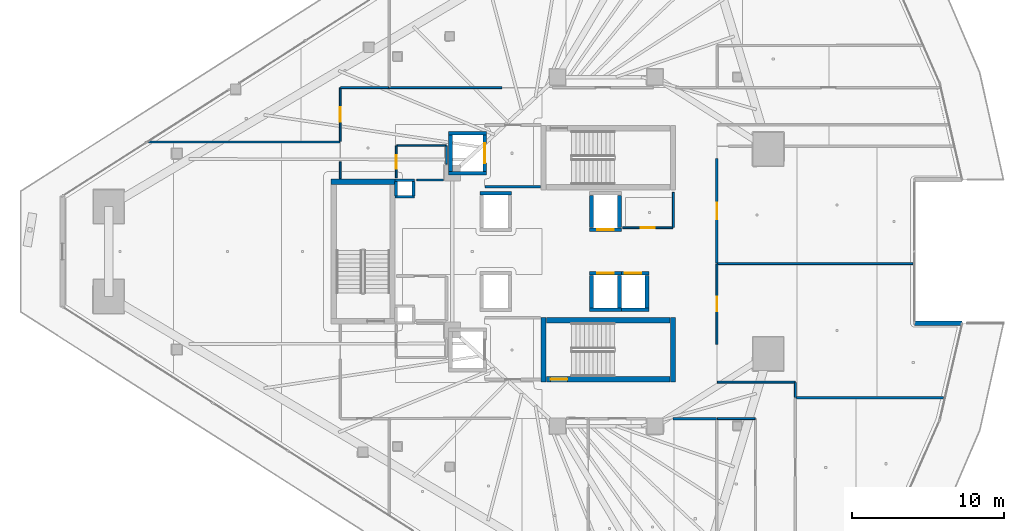
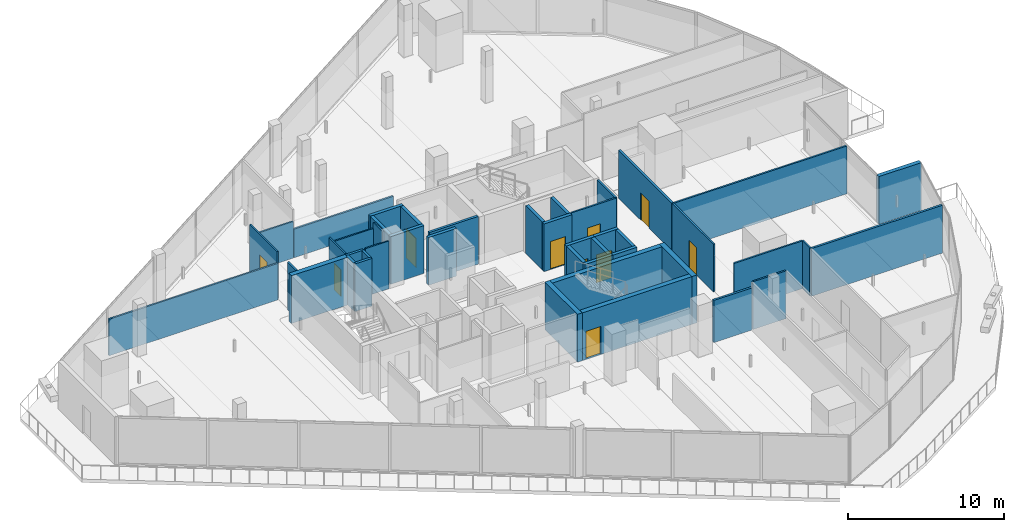
# One storey, part 25 of 36: 45 walls, 10 doors, 10 openings.
"""IFC4 building model written with IfcOpenShell, lengths in metres."""

from ifc_helpers import new_model, si_unit, direction, frame, frame_2d, origin, place, context, subcontext, project, spatial, rectangle, extrude, material, layer, layer_set, type_object, element, fill, save


model = new_model("IFC4")

# Units and contexts
model_context = context("Model", 3, precision=1e-05, world=origin(), true_north=direction((0.0, 1.0)))
body_context = subcontext(model_context, "Body", "Model", "MODEL_VIEW")
ifc_project = project(units=[si_unit("LENGTHUNIT", "METRE"), si_unit("AREAUNIT", "SQUARE_METRE"), si_unit("VOLUMEUNIT", "CUBIC_METRE"), si_unit("PLANEANGLEUNIT", "RADIAN"), si_unit("MASSUNIT", "GRAM", prefix="KILO")], contexts=[model_context])

# Site, building, storey
site_placement = place(None, origin())
site = spatial("IfcSite", under=ifc_project, at=site_placement, CompositionType="ELEMENT")
building_placement = place(site_placement, origin())
building = spatial("IfcBuilding", under=site, at=building_placement, Name="Qorvath Tower", CompositionType="ELEMENT")
storey_placement = place(building_placement, frame((0.0, 0.0, 170.550048828125)))
storey = spatial("IfcBuildingStorey", under=building, at=storey_placement, Name="L39", CompositionType="ELEMENT", Elevation=170.550048828125)

# Walls
ifc_material_1 = material(Name="Gypsum shaftliner on steel studs", Category="steel")
ifc_layer_1 = layer(ifc_material_1, 0.179931640625)
ifc_layer_set_1 = layer_set([ifc_layer_1], Name="FW-LOBBY")
wall_type_1 = type_object("IfcWallType", Name="FW-LOBBY", PredefinedType="PARTITIONING", material=ifc_layer_set_1)
for number, where, z_axis, x_axis, name in (
    (1, (-32.989990234375, 3.594970703125, 0.0), (0.0, 0.0, 1.0), (-1.0, 0.0, 0.0), "MEP Riser Shaft Enclosure Wall N-L39-S"),
    (2, (-34.260009765625, 4.675048828125, 0.0), (0.0, 0.0, 1.0), (1.0, 0.0, 0.0), "MEP Riser Shaft Enclosure Wall N-L39-N"),
):
    element("IfcWall", number, at=place(storey_placement, frame(where, z_axis=z_axis, x_axis=x_axis)), inside=storey, type_object=wall_type_1, Name=name, PredefinedType="PARTITIONING", context=body_context, shape_type="SweptSolid", body=[
        extrude(rectangle(XDim=1.27001953125, YDim=0.179931640625, at=frame_2d((0.635009765625, 0.0))), origin(), (0.0, 0.0, 1.0), 3.75),
    ])
for number, where, z_axis, x_axis, name in (
    (3, (-34.205078125, 3.659912109375, 0.0), (0.0, 0.0, 1.0), (0.0, 1.0, 0.0), "MEP Riser Shaft Enclosure Wall N-L39-W"),
    (4, (-33.044921875, 4.610107421875, 0.0), (0.0, 0.0, 1.0), (0.0, -1.0, 0.0), "MEP Riser Shaft Enclosure Wall N-L39-E"),
):
    element("IfcWall", number, at=place(storey_placement, frame(where, z_axis=z_axis, x_axis=x_axis)), inside=storey, type_object=wall_type_1, Name=name, PredefinedType="PARTITIONING", context=body_context, shape_type="SweptSolid", body=[
        extrude(rectangle(XDim=0.9501953125, YDim=0.179931640625, at=frame_2d((0.47509765625, 0.0))), origin(), (0.0, 0.0, 1.0), 3.75),
    ])
wall_1_placement = place(storey_placement, frame((-28.35498046875, 4.25, 0.0), z_axis=(0.0, 0.0, 1.0), x_axis=(1.0, 0.0, 0.0)))
element("IfcWall", 5, at=wall_1_placement, inside=storey, type_object=wall_type_1, Name="Interior Partition IW-T1-L39-001", PredefinedType="PARTITIONING", context=body_context, shape_type="SweptSolid", body=[
    extrude(rectangle(XDim=3.6220703125, YDim=0.179931640625, at=frame_2d((1.81103515625, 0.0))), origin(), (0.0, 0.0, 1.0), 3.75),
])
ifc_material_2 = material(Name="Double acoustic gypsum board on steel studs", Category="steel")
ifc_layer_2 = layer(ifc_material_2, 0.159912109375)
ifc_layer_set_2 = layer_set([ifc_layer_2], Name="IW-ACOUSTIC-160")
wall_type_2 = type_object("IfcWallType", Name="IW-ACOUSTIC-160", PredefinedType="PARTITIONING", material=ifc_layer_set_2)
wall_2_placement = place(storey_placement, frame((-13.1748046875, -10.9580078125, 0.0), z_axis=(0.0, 0.0, 1.0), x_axis=(-1.0, 0.0, 0.0)))
element("IfcWall", 6, at=wall_2_placement, inside=storey, type_object=wall_type_2, Name="Interior Partition IW-T1-L39-031", PredefinedType="PARTITIONING", context=body_context, shape_type="SweptSolid", body=[
    extrude(rectangle(XDim=2.833740234375, YDim=0.159912109375, at=frame_2d((1.4169921875, 0.0))), origin(), (0.0, 0.0, 1.0), 3.313720703125),
])
wall_3_placement = place(storey_placement, frame((1.7412109375, -9.6015625, 0.0), z_axis=(0.0, 0.0, 1.0), x_axis=(-1.0, 0.0, 0.0)))
element("IfcWall", 7, at=wall_3_placement, inside=storey, type_object=wall_type_2, Name="Interior Partition IW-T1-L39-037", PredefinedType="PARTITIONING", context=body_context, shape_type="SweptSolid", body=[
    extrude(rectangle(XDim=9.7080078125, YDim=0.159912109375, at=frame_2d((4.85400390625, 0.0))), origin(), (0.0, 0.0, 1.0), 3.75),
])

# Wall, opening, door
wall_4_placement = place(storey_placement, frame((-13.14208984375, 6.08984375, 0.0), z_axis=(0.0, 0.0, 1.0), x_axis=(0.0, -1.0, 0.0)))
wall_4 = element("IfcWall", 8, at=wall_4_placement, inside=storey, type_object=wall_type_2, Name="Interior Partition IW-T1-L39-047", PredefinedType="PARTITIONING", context=body_context, shape_type="SweptSolid", body=[
    extrude(rectangle(XDim=6.845947265625, YDim=0.159912109375, at=frame_2d((3.4228515625, 0.0))), origin(), (0.0, 0.0, 1.0), 3.75),
])
opening_1_placement = place(wall_4_placement, frame((2.873046875, 0.0, 0.0)))
opening_1 = element("IfcOpeningElement", 9, at=opening_1_placement, cuts=wall_4, Name="Opening D-T1-L39-17", PredefinedType="OPENING", context=body_context, shape_type="SweptSolid", body=[
    extrude(rectangle(XDim=1.10009765625, YDim=2.14990234375, at=frame_2d((0.550048828125, 1.074951171875))), frame((0.0, 0.08984375, 0.0), z_axis=(0.0, -1.0, 0.0), x_axis=(1.0, 0.0, 0.0)), (0.0, 0.0, 1.0), 0.179931640625),
])
ifc_material_3 = material(Name="Anodised aluminium acoustic framed glass", Category="aluminium")
door_type_1 = type_object("IfcDoorType", Name="D-03", OperationType="NOTDEFINED", PredefinedType="DOOR", material=ifc_material_3)
door_1_placement = place(opening_1_placement, origin())
door_1 = element("IfcDoor", 10, at=door_1_placement, inside=storey, type_object=door_type_1, Name="L39-08 Enclosed Conference Suite Door D-T1-L39-17", OperationType="SINGLE_SWING_RIGHT", OverallHeight=2.14990234375, OverallWidth=1.10009765625, PredefinedType="DOOR", context=body_context, shape_type="SweptSolid", body=[
    extrude(rectangle(XDim=1.10009765625, YDim=2.14990234375, at=frame_2d((0.550048828125, 1.074951171875))), frame((0.0, 0.02490234375, 0.0), z_axis=(0.0, -1.0, 0.0), x_axis=(1.0, 0.0, 0.0)), (0.0, 0.0, 1.0), 0.050048828125),
])
fill(opening_1, door_1)

ifc_material_4 = material(Name="Gypsum board on metal studs with mineral wool", Category="gypsum")
ifc_layer_3 = layer(ifc_material_4, 0.125)
ifc_layer_set_3 = layer_set([ifc_layer_3], Name="IW-PART-125")
wall_type_3 = type_object("IfcWallType", Name="IW-PART-125", PredefinedType="PARTITIONING", material=ifc_layer_set_3)
wall_5_placement = place(storey_placement, frame((-19.333740234375, 1.56005859375, 0.0), z_axis=(0.0, 0.0, 1.0), x_axis=(1.0, 0.0, 0.0)))
wall_5 = element("IfcWall", 11, at=wall_5_placement, inside=storey, type_object=wall_type_3, Name="Interior Partition IW-T1-L39-013", PredefinedType="PARTITIONING", context=body_context, shape_type="SweptSolid", body=[
    extrude(rectangle(XDim=3.308837890625, YDim=0.125, at=frame_2d((1.654296875, 0.0))), origin(), (0.0, 0.0, 1.0), 3.75),
])
opening_2_placement = place(wall_5_placement, frame((1.179443359375, 0.0, 0.0)))
opening_2 = element("IfcOpeningElement", 12, at=opening_2_placement, cuts=wall_5, Name="Opening D-T1-L39-03", PredefinedType="OPENING", context=body_context, shape_type="SweptSolid", body=[
    extrude(rectangle(XDim=0.949951171875, YDim=2.14990234375, at=frame_2d((0.47509765625, 1.074951171875))), frame((0.0, 0.072509765625, 0.0), z_axis=(0.0, -1.0, 0.0), x_axis=(1.0, 0.0, 0.0)), (0.0, 0.0, 1.0), 0.14501953125),
])
ifc_material_5 = material(Name="Solid-core American white oak veneer", Category="wood")
door_type_2 = type_object("IfcDoorType", Name="D-01", OperationType="NOTDEFINED", PredefinedType="DOOR", material=ifc_material_5)
door_2_placement = place(opening_2_placement, origin())
door_2 = element("IfcDoor", 13, at=door_2_placement, inside=storey, type_object=door_type_2, Name="L39-RCN North Staff Refreshment Pantry Door D-T1-L39-03", OperationType="SINGLE_SWING_RIGHT", OverallHeight=2.14990234375, OverallWidth=0.949951171875, PredefinedType="DOOR", context=body_context, shape_type="SweptSolid", body=[
    extrude(rectangle(XDim=0.949951171875, YDim=2.14990234375, at=frame_2d((0.47509765625, 1.074951171875))), frame((0.0, 0.02490234375, 0.0), z_axis=(0.0, -1.0, 0.0), x_axis=(1.0, 0.0, 0.0)), (0.0, 0.0, 1.0), 0.050048828125),
])
fill(opening_2, door_2)

# Walls
wall_6_placement = place(storey_placement, frame((-16.0, 1.585205078125, 0.0), z_axis=(0.0, 0.0, 1.0), x_axis=(0.0, 1.0, 0.0)))
element("IfcWall", 14, at=wall_6_placement, inside=storey, type_object=wall_type_3, Name="Interior Partition IW-T1-L39-014", PredefinedType="PARTITIONING", context=body_context, shape_type="SweptSolid", body=[
    extrude(rectangle(XDim=2.30224609375, YDim=0.125, at=frame_2d((1.151123046875, 0.0))), origin(), (0.0, 0.0, 1.0), 3.75),
])
wall_7_placement = place(storey_placement, frame((-34.625, 10.758056640625, 0.0), z_axis=(0.0, 0.0, 1.0), x_axis=(1.0, 0.0, 0.0)))
element("IfcWall", 15, at=wall_7_placement, inside=storey, type_object=wall_type_3, Name="Interior Partition IW-T1-L39-019", PredefinedType="PARTITIONING", context=body_context, shape_type="SweptSolid", body=[
    extrude(rectangle(XDim=7.377685546875, YDim=0.125, at=frame_2d((3.68896484375, 0.0))), origin(), (0.0, 0.0, 1.0), 2.25),
])
wall_8_placement = place(storey_placement, frame((-10.6328125, -10.9580078125, 0.0), z_axis=(0.0, 0.0, 1.0), x_axis=(-1.0, 0.0, 0.0)))
element("IfcWall", 16, at=wall_8_placement, inside=storey, type_object=wall_type_3, Name="Interior Partition IW-T1-L39-040", PredefinedType="PARTITIONING", context=body_context, shape_type="SweptSolid", body=[
    extrude(rectangle(XDim=2.484375, YDim=0.125, at=frame_2d((1.2421875, 0.0))), origin(), (0.0, 0.0, 1.0), 3.75),
])
wall_9_placement = place(storey_placement, frame((-0.263916015625, -0.7890625, 0.0), z_axis=(0.0, 0.0, 1.0), x_axis=(-1.0, 0.0, 0.0)))
element("IfcWall", 17, at=wall_9_placement, inside=storey, type_object=wall_type_3, Name="Interior Partition IW-T1-L39-041", PredefinedType="PARTITIONING", context=body_context, shape_type="SweptSolid", body=[
    extrude(rectangle(XDim=12.853271484375, YDim=0.125, at=frame_2d((6.4267578125, 0.0))), origin(), (0.0, 0.0, 1.0), 3.75),
])

# Wall, opening, door
wall_10_placement = place(storey_placement, frame((-13.14208984375, -0.814208984375, 0.0), z_axis=(0.0, 0.0, 1.0), x_axis=(0.0, -1.0, 0.0)))
wall_10 = element("IfcWall", 18, at=wall_10_placement, inside=storey, type_object=wall_type_3, Name="Interior Partition IW-T1-L39-042", PredefinedType="PARTITIONING", context=body_context, shape_type="SweptSolid", body=[
    extrude(rectangle(XDim=5.275634765625, YDim=0.125, at=frame_2d((2.6376953125, 0.0))), origin(), (0.0, 0.0, 1.0), 3.75),
])
opening_3_placement = place(wall_10_placement, frame((2.162841796875, 0.0, 0.0)))
opening_3 = element("IfcOpeningElement", 19, at=opening_3_placement, cuts=wall_10, Name="Opening D-T1-L39-16", PredefinedType="OPENING", context=body_context, shape_type="SweptSolid", body=[
    extrude(rectangle(XDim=0.949951171875, YDim=2.14990234375, at=frame_2d((0.47509765625, 1.074951171875))), frame((0.0, 0.072509765625, 0.0), z_axis=(0.0, -1.0, 0.0), x_axis=(1.0, 0.0, 0.0)), (0.0, 0.0, 1.0), 0.14501953125),
])
door_3_placement = place(opening_3_placement, origin())
door_3 = element("IfcDoor", 20, at=door_3_placement, inside=storey, type_object=door_type_2, Name="L39-07 Open Workplace Studio Door D-T1-L39-16", OperationType="SINGLE_SWING_LEFT", OverallHeight=2.14990234375, OverallWidth=0.949951171875, PredefinedType="DOOR", context=body_context, shape_type="SweptSolid", body=[
    extrude(rectangle(XDim=0.949951171875, YDim=2.14990234375, at=frame_2d((0.47509765625, 1.074951171875))), frame((0.0, 0.02490234375, 0.0), z_axis=(0.0, -1.0, 0.0), x_axis=(1.0, 0.0, 0.0)), (0.0, 0.0, 1.0), 0.050048828125),
])
fill(opening_3, door_3)

# Walls
wall_11_placement = place(storey_placement, frame((-13.1171875, -8.572021484375, 0.0), z_axis=(0.0, 0.0, 1.0), x_axis=(1.0, 0.0, 0.0)))
element("IfcWall", 21, at=wall_11_placement, inside=storey, type_object=wall_type_3, Name="Interior Partition IW-T1-L39-043", PredefinedType="PARTITIONING", context=body_context, shape_type="SweptSolid", body=[
    extrude(rectangle(XDim=5.100341796875, YDim=0.125, at=frame_2d((2.55029296875, 0.0))), origin(), (0.0, 0.0, 1.0), 3.75),
])
wall_12_placement = place(storey_placement, frame((-7.991943359375, -8.596923828125, 0.0), z_axis=(0.0, 0.0, 1.0), x_axis=(0.0, -1.0, 0.0)))
element("IfcWall", 22, at=wall_12_placement, inside=storey, type_object=wall_type_3, Name="Interior Partition IW-T1-L39-044", PredefinedType="PARTITIONING", context=body_context, shape_type="SweptSolid", body=[
    extrude(rectangle(XDim=0.9716796875, YDim=0.125, at=frame_2d((0.48583984375, 0.0))), origin(), (0.0, 0.0, 1.0), 3.75),
])
wall_13_placement = place(storey_placement, frame((-37.85791015625, 4.783203125, 0.0), z_axis=(0.0, 0.0, 1.0), x_axis=(0.0, 1.0, 0.0)))
element("IfcWall", 23, at=wall_13_placement, inside=storey, type_object=wall_type_3, Name="Interior Partition IW-T1-L39-053", PredefinedType="PARTITIONING", context=body_context, shape_type="SweptSolid", body=[
    extrude(rectangle(XDim=1.09521484375, YDim=0.125, at=frame_2d((0.547607421875, 0.0))), origin(), (0.0, 0.0, 1.0), 3.75),
])
wall_14_placement = place(storey_placement, frame((-37.8828125, 7.18994140625, 0.0), z_axis=(0.0, 0.0, 1.0), x_axis=(-0.999999999811, 1.9455631e-05, 0.0)))
element("IfcWall", 24, at=wall_14_placement, inside=storey, type_object=wall_type_3, Name="Interior Partition IW-T1-L39-054", PredefinedType="PARTITIONING", context=body_context, shape_type="SweptSolid", body=[
    extrude(rectangle(XDim=12.548583984375, YDim=0.125, at=frame_2d((6.2744140625, 0.0))), origin(), (0.0, 0.0, 1.0), 2.869873046875),
])

# Wall, opening, door
wall_15_placement = place(storey_placement, frame((-37.85791015625, 7.222900390625, 0.0), z_axis=(0.0, 0.0, 1.0), x_axis=(0.0, 1.0, 0.0)))
wall_15 = element("IfcWall", 25, at=wall_15_placement, inside=storey, type_object=wall_type_3, Name="Interior Partition IW-T1-L39-055", PredefinedType="PARTITIONING", context=body_context, shape_type="SweptSolid", body=[
    extrude(rectangle(XDim=3.51025390625, YDim=0.125, at=frame_2d((1.755126953125, 0.0))), origin(), (0.0, 0.0, 1.0), 3.75),
])
opening_4_placement = place(wall_15_placement, frame((1.280029296875, 0.0, 0.0)))
opening_4 = element("IfcOpeningElement", 26, at=opening_4_placement, cuts=wall_15, Name="Opening D-T1-L39-12", PredefinedType="OPENING", context=body_context, shape_type="SweptSolid", body=[
    extrude(rectangle(XDim=0.949951171875, YDim=2.14990234375, at=frame_2d((0.47509765625, 1.074951171875))), frame((0.0, 0.072509765625, 0.0), z_axis=(0.0, -1.0, 0.0), x_axis=(1.0, 0.0, 0.0)), (0.0, 0.0, 1.0), 0.14501953125),
])
door_4_placement = place(opening_4_placement, origin())
door_4 = element("IfcDoor", 27, at=door_4_placement, inside=storey, type_object=door_type_2, Name="L39-11 Executive Partner Office Door D-T1-L39-12", OperationType="SINGLE_SWING_LEFT", OverallHeight=2.14990234375, OverallWidth=0.949951171875, PredefinedType="DOOR", context=body_context, shape_type="SweptSolid", body=[
    extrude(rectangle(XDim=0.949951171875, YDim=2.14990234375, at=frame_2d((0.47509765625, 1.074951171875))), frame((0.0, 0.02490234375, 0.0), z_axis=(0.0, -1.0, 0.0), x_axis=(1.0, 0.0, 0.0)), (0.0, 0.0, 1.0), 0.050048828125),
])
fill(opening_4, door_4)

# Wall
wall_16_placement = place(storey_placement, frame((-34.68310546875, 10.758056640625, 0.0), z_axis=(0.0, 0.0, 1.0), x_axis=(-1.0, 0.0, 0.0)))
element("IfcWall", 28, at=wall_16_placement, inside=storey, type_object=wall_type_3, Name="Interior Partition IW-T1-L39-056", PredefinedType="PARTITIONING", context=body_context, shape_type="SweptSolid", body=[
    extrude(rectangle(XDim=3.14990234375, YDim=0.125, at=frame_2d((1.574951171875, 0.0))), origin(), (0.0, 0.0, 1.0), 2.869873046875),
])

# Wall, opening, door
ifc_material_6 = material(Name="Moisture-resistant cement board on metal studs", Category="gypsum")
ifc_layer_4 = layer(ifc_material_6, 0.110107421875)
ifc_layer_set_4 = layer_set([ifc_layer_4], Name="IW-WC-110")
wall_type_4 = type_object("IfcWallType", Name="IW-WC-110", PredefinedType="PARTITIONING", material=ifc_layer_set_4)
wall_17_placement = place(storey_placement, frame((-34.179931640625, 6.925048828125, 0.0), z_axis=(0.0, 0.0, 1.0), x_axis=(0.0, -1.0, 0.0)))
wall_17 = element("IfcWall", 29, at=wall_17_placement, inside=storey, type_object=wall_type_4, Name="Interior Partition IW-T1-L39-005", PredefinedType="PARTITIONING", context=body_context, shape_type="SweptSolid", body=[
    extrude(rectangle(XDim=2.0849609375, YDim=0.110107421875, at=frame_2d((1.04248046875, 0.0))), origin(), (0.0, 0.0, 1.0), 3.75),
])
opening_5_placement = place(wall_17_placement, frame((0.6025390625, 0.0, 0.0)))
opening_5 = element("IfcOpeningElement", 30, at=opening_5_placement, cuts=wall_17, Name="Opening D-T1-L39-01", PredefinedType="OPENING", context=body_context, shape_type="SweptSolid", body=[
    extrude(rectangle(XDim=0.8798828125, YDim=2.10009765625, at=frame_2d((0.43994140625, 1.050048828125))), frame((0.0, 0.06494140625, 0.0), z_axis=(0.0, -1.0, 0.0), x_axis=(1.0, 0.0, 0.0)), (0.0, 0.0, 1.0), 0.130126953125),
])
ifc_material_7 = material(Name="Solid-core oak with acoustic drop seal", Category="wood")
door_type_3 = type_object("IfcDoorType", Name="D-02", OperationType="NOTDEFINED", PredefinedType="DOOR", material=ifc_material_7)
door_5_placement = place(opening_5_placement, origin())
door_5 = element("IfcDoor", 31, at=door_5_placement, inside=storey, type_object=door_type_3, Name="Accessible WC North L39 Door D-T1-L39-01", OperationType="SINGLE_SWING_RIGHT", OverallHeight=2.10009765625, OverallWidth=0.8798828125, PredefinedType="DOOR", context=body_context, shape_type="SweptSolid", body=[
    extrude(rectangle(XDim=0.8798828125, YDim=2.10009765625, at=frame_2d((0.43994140625, 1.050048828125))), frame((0.0, 0.02490234375, 0.0), z_axis=(0.0, -1.0, 0.0), x_axis=(1.0, 0.0, 0.0)), (0.0, 0.0, 1.0), 0.050048828125),
])
fill(opening_5, door_5)

# Walls
wall_18_placement = place(storey_placement, frame((-32.827392578125, 4.699951171875, 0.0), z_axis=(0.0, 0.0, 1.0), x_axis=(1.0, 0.0, 0.0)))
element("IfcWall", 32, at=wall_18_placement, inside=storey, type_object=wall_type_4, Name="Interior Partition IW-T1-L39-006", PredefinedType="PARTITIONING", context=body_context, shape_type="SweptSolid", body=[
    extrude(rectangle(XDim=1.7373046875, YDim=0.110107421875, at=frame_2d((0.86865234375, 0.0))), origin(), (0.0, 0.0, 1.0), 3.75),
])
wall_19_placement = place(storey_placement, frame((-30.8798828125, 5.739990234375, 0.0), z_axis=(0.0, 0.0, 1.0), x_axis=(0.0, 1.0, 0.0)))
element("IfcWall", 33, at=wall_19_placement, inside=storey, type_object=wall_type_4, Name="Interior Partition IW-T1-L39-007", PredefinedType="PARTITIONING", context=body_context, shape_type="SweptSolid", body=[
    extrude(rectangle(XDim=1.18505859375, YDim=0.110107421875, at=frame_2d((0.592529296875, 0.0))), origin(), (0.0, 0.0, 1.0), 3.75),
])
wall_20_placement = place(storey_placement, frame((-30.90478515625, 6.949951171875, 0.0), z_axis=(0.0, 0.0, 1.0), x_axis=(-1.0, 0.0, 0.0)))
element("IfcWall", 34, at=wall_20_placement, inside=storey, type_object=wall_type_4, Name="Interior Partition IW-T1-L39-008", PredefinedType="PARTITIONING", context=body_context, shape_type="SweptSolid", body=[
    extrude(rectangle(XDim=3.25, YDim=0.110107421875, at=frame_2d((1.625, 0.0))), origin(), (0.0, 0.0, 1.0), 3.313720703125),
])
ifc_material_8 = material(Name="Concrete C60/75", Category="concrete")
ifc_layer_5 = layer(ifc_material_8, 0.260009765625)
ifc_layer_set_5 = layer_set([ifc_layer_5], Name="SW-SHAFT")
wall_type_5 = type_object("IfcWallType", Name="SW-SHAFT", PredefinedType="SHEAR", material=ifc_layer_set_5)
for number, where, z_axis, x_axis, name in (
    (35, (-28.260009765625, 5.1298828125, 0.0), (0.0, 0.0, 1.0), (-1.0, 0.0, 0.0), "Hoistway Wall FSAE-1 L39 S"),
    (36, (-30.739990234375, 7.77001953125, 0.0), (0.0, 0.0, 1.0), (1.0, 0.0, 0.0), "Hoistway Wall FSAE-1 L39 N"),
):
    element("IfcWall", number, at=place(storey_placement, frame(where, z_axis=z_axis, x_axis=x_axis)), inside=storey, type_object=wall_type_5, Name=name, PredefinedType="SHEAR", context=body_context, shape_type="SweptSolid", body=[
        extrude(rectangle(XDim=2.47998046875, YDim=0.239990234375, at=frame_2d((1.239990234375, 0.0))), origin(), (0.0, 0.0, 1.0), 3.75),
    ])
wall_21_placement = place(storey_placement, frame((-30.6201171875, 5.261962890625, 0.0), z_axis=(0.0, 0.0, 1.0), x_axis=(0.0, 1.0, 0.0)))
element("IfcWall", 37, at=wall_21_placement, inside=storey, type_object=wall_type_5, Name="Hoistway Wall FSAE-1 L39 W", PredefinedType="SHEAR", context=body_context, shape_type="SweptSolid", body=[
    extrude(rectangle(XDim=2.3759765625, YDim=0.239990234375, at=frame_2d((1.18798828125, 0.0))), origin(), (0.0, 0.0, 1.0), 3.75),
])

# Wall, opening, door
wall_22_placement = place(storey_placement, frame((-28.3798828125, 7.637939453125, 0.0), z_axis=(0.0, 0.0, 1.0), x_axis=(0.0, -1.0, 0.0)))
wall_22 = element("IfcWall", 38, at=wall_22_placement, inside=storey, type_object=wall_type_5, Name="Hoistway Wall FSAE-1 L39 E", PredefinedType="SHEAR", context=body_context, shape_type="SweptSolid", body=[
    extrude(rectangle(XDim=2.3759765625, YDim=0.239990234375, at=frame_2d((1.18798828125, 0.0))), origin(), (0.0, 0.0, 1.0), 3.75),
])
opening_6_placement = place(wall_22_placement, frame((0.537841796875, 0.0, 0.0)))
opening_6 = element("IfcOpeningElement", 39, at=opening_6_placement, cuts=wall_22, Name="Opening LD-FSAE-1-L39", PredefinedType="OPENING", context=body_context, shape_type="SweptSolid", body=[
    extrude(rectangle(XDim=1.300048828125, YDim=2.300048828125, at=frame_2d((0.64990234375, 1.14990234375))), frame((0.0, 0.1298828125, 0.0), z_axis=(0.0, -1.0, 0.0), x_axis=(1.0, 0.0, 0.0)), (0.0, 0.0, 1.0), 0.260009765625),
])
ifc_material_9 = material(Name="Brushed stainless steel AISI 316", Category="steel")
door_type_4 = type_object("IfcDoorType", Name="LD-02", OperationType="NOTDEFINED", PredefinedType="DOOR", material=ifc_material_9)
door_6_placement = place(opening_6_placement, origin())
door_6 = element("IfcDoor", 40, at=door_6_placement, inside=storey, type_object=door_type_4, Name="Elevator Landing Sliding Door LD-FSAE-1-L39", OperationType="DOUBLE_DOOR_SLIDING", OverallHeight=2.300048828125, OverallWidth=1.300048828125, PredefinedType="DOOR", context=body_context, shape_type="SweptSolid", body=[
    extrude(rectangle(XDim=1.300048828125, YDim=2.300048828125, at=frame_2d((0.64990234375, 1.14990234375))), frame((0.0, 0.02490234375, 0.0), z_axis=(0.0, -1.0, 0.0), x_axis=(1.0, 0.0, 0.0)), (0.0, 0.0, 1.0), 0.050048828125),
])
fill(opening_6, door_6)

# Wall
wall_23_placement = place(storey_placement, frame((-28.68994140625, 3.820068359375, 0.0), z_axis=(0.0, 0.0, 1.0), x_axis=(1.0, 0.0, 0.0)))
element("IfcWall", 41, at=wall_23_placement, inside=storey, type_object=wall_type_5, Name="Hoistway Wall PS-1 L39 N", PredefinedType="SHEAR", context=body_context, shape_type="SweptSolid", body=[
    extrude(rectangle(XDim=2.079833984375, YDim=0.239990234375, at=frame_2d((1.0400390625, 0.0))), origin(), (0.0, 0.0, 1.0), 3.75),
])

# Wall, opening, door
wall_24_placement = place(storey_placement, frame((-19.409912109375, 1.429931640625, 0.0), z_axis=(0.0, 0.0, 1.0), x_axis=(-1.0, 0.0, 0.0)))
wall_24 = element("IfcWall", 42, at=wall_24_placement, inside=storey, type_object=wall_type_5, Name="Hoistway Wall PM-1 L39 S", PredefinedType="SHEAR", context=body_context, shape_type="SweptSolid", body=[
    extrude(rectangle(XDim=2.080078125, YDim=0.239990234375, at=frame_2d((1.0400390625, 0.0))), origin(), (0.0, 0.0, 1.0), 3.75),
])
opening_7_placement = place(wall_24_placement, frame((0.489990234375, 0.0, 0.0)))
opening_7 = element("IfcOpeningElement", 43, at=opening_7_placement, cuts=wall_24, Name="Opening LD-PM-1-L39", PredefinedType="OPENING", context=body_context, shape_type="SweptSolid", body=[
    extrude(rectangle(XDim=1.10009765625, YDim=2.199951171875, at=frame_2d((0.550048828125, 1.10009765625))), frame((0.0, 0.1298828125, 0.0), z_axis=(0.0, -1.0, 0.0), x_axis=(1.0, 0.0, 0.0)), (0.0, 0.0, 1.0), 0.260009765625),
])
ifc_material_10 = material(Name="Brushed stainless steel AISI 316", Category="steel")
door_type_5 = type_object("IfcDoorType", Name="LD-01", OperationType="NOTDEFINED", PredefinedType="DOOR", material=ifc_material_10)
door_7_placement = place(opening_7_placement, origin())
door_7 = element("IfcDoor", 44, at=door_7_placement, inside=storey, type_object=door_type_5, Name="Elevator Landing Sliding Door LD-PM-1-L39", OperationType="DOUBLE_DOOR_SLIDING", OverallHeight=2.199951171875, OverallWidth=1.10009765625, PredefinedType="DOOR", context=body_context, shape_type="SweptSolid", body=[
    extrude(rectangle(XDim=1.10009765625, YDim=2.199951171875, at=frame_2d((0.550048828125, 1.10009765625))), frame((0.0, 0.02490234375, 0.0), z_axis=(0.0, -1.0, 0.0), x_axis=(1.0, 0.0, 0.0)), (0.0, 0.0, 1.0), 0.050048828125),
])
fill(opening_7, door_7)

# Walls
for number, where, z_axis, x_axis, name in (
    (45, (-21.3701171875, 1.56201171875, 0.0), (0.0, 0.0, 1.0), (0.0, 1.0, 0.0), "Hoistway Wall PM-1 L39 W"),
    (46, (-19.530029296875, 3.68798828125, 0.0), (0.0, 0.0, 1.0), (0.0, -1.0, 0.0), "Hoistway Wall PM-1 L39 E"),
):
    element("IfcWall", number, at=place(storey_placement, frame(where, z_axis=z_axis, x_axis=x_axis)), inside=storey, type_object=wall_type_5, Name=name, PredefinedType="SHEAR", context=body_context, shape_type="SweptSolid", body=[
        extrude(rectangle(XDim=2.1259765625, YDim=0.239990234375, at=frame_2d((1.06298828125, 0.0))), origin(), (0.0, 0.0, 1.0), 3.75),
    ])
wall_25_placement = place(storey_placement, frame((-19.409912109375, -3.820068359375, 0.0), z_axis=(0.0, 0.0, 1.0), x_axis=(-1.0, 0.0, 0.0)))
element("IfcWall", 47, at=wall_25_placement, inside=storey, type_object=wall_type_5, Name="Hoistway Wall PM-2 L39 S", PredefinedType="SHEAR", context=body_context, shape_type="SweptSolid", body=[
    extrude(rectangle(XDim=2.080078125, YDim=0.239990234375, at=frame_2d((1.0400390625, 0.0))), origin(), (0.0, 0.0, 1.0), 3.75),
])

# Wall, opening, door
wall_26_placement = place(storey_placement, frame((-21.489990234375, -1.429931640625, 0.0), z_axis=(0.0, 0.0, 1.0), x_axis=(1.0, 0.0, 0.0)))
wall_26 = element("IfcWall", 48, at=wall_26_placement, inside=storey, type_object=wall_type_5, Name="Hoistway Wall PM-2 L39 N", PredefinedType="SHEAR", context=body_context, shape_type="SweptSolid", body=[
    extrude(rectangle(XDim=2.080078125, YDim=0.239990234375, at=frame_2d((1.0400390625, 0.0))), origin(), (0.0, 0.0, 1.0), 3.75),
])
opening_8_placement = place(wall_26_placement, frame((0.489990234375, 0.0, 0.0)))
opening_8 = element("IfcOpeningElement", 49, at=opening_8_placement, cuts=wall_26, Name="Opening LD-PM-2-L39", PredefinedType="OPENING", context=body_context, shape_type="SweptSolid", body=[
    extrude(rectangle(XDim=1.10009765625, YDim=2.199951171875, at=frame_2d((0.550048828125, 1.10009765625))), frame((0.0, 0.1298828125, 0.0), z_axis=(0.0, -1.0, 0.0), x_axis=(1.0, 0.0, 0.0)), (0.0, 0.0, 1.0), 0.260009765625),
])
door_8_placement = place(opening_8_placement, origin())
door_8 = element("IfcDoor", 50, at=door_8_placement, inside=storey, type_object=door_type_5, Name="Elevator Landing Sliding Door LD-PM-2-L39", OperationType="DOUBLE_DOOR_SLIDING", OverallHeight=2.199951171875, OverallWidth=1.10009765625, PredefinedType="DOOR", context=body_context, shape_type="SweptSolid", body=[
    extrude(rectangle(XDim=1.10009765625, YDim=2.199951171875, at=frame_2d((0.550048828125, 1.10009765625))), frame((0.0, 0.02490234375, 0.0), z_axis=(0.0, -1.0, 0.0), x_axis=(1.0, 0.0, 0.0)), (0.0, 0.0, 1.0), 0.050048828125),
])
fill(opening_8, door_8)

# Walls
for number, where, z_axis, x_axis, name in (
    (51, (-21.3701171875, -3.68798828125, 0.0), (0.0, 0.0, 1.0), (0.0, 1.0, 0.0), "Hoistway Wall PM-2 L39 W"),
    (52, (-19.530029296875, -1.56201171875, 0.0), (0.0, 0.0, 1.0), (0.0, -1.0, 0.0), "Hoistway Wall PM-2 L39 E"),
):
    element("IfcWall", number, at=place(storey_placement, frame(where, z_axis=z_axis, x_axis=x_axis)), inside=storey, type_object=wall_type_5, Name=name, PredefinedType="SHEAR", context=body_context, shape_type="SweptSolid", body=[
        extrude(rectangle(XDim=2.1259765625, YDim=0.239990234375, at=frame_2d((1.06298828125, 0.0))), origin(), (0.0, 0.0, 1.0), 3.75),
    ])
wall_27_placement = place(storey_placement, frame((-17.610107421875, -3.820068359375, 0.0), z_axis=(0.0, 0.0, 1.0), x_axis=(-1.0, 0.0, 0.0)))
element("IfcWall", 53, at=wall_27_placement, inside=storey, type_object=wall_type_5, Name="Hoistway Wall PM-3 L39 S", PredefinedType="SHEAR", context=body_context, shape_type="SweptSolid", body=[
    extrude(rectangle(XDim=1.7998046875, YDim=0.239990234375, at=frame_2d((0.89990234375, 0.0))), origin(), (0.0, 0.0, 1.0), 3.75),
])

# Wall, opening, door
wall_28_placement = place(storey_placement, frame((-19.409912109375, -1.429931640625, 0.0), z_axis=(0.0, 0.0, 1.0), x_axis=(1.0, 0.0, 0.0)))
wall_28 = element("IfcWall", 54, at=wall_28_placement, inside=storey, type_object=wall_type_5, Name="Hoistway Wall PM-3 L39 N", PredefinedType="SHEAR", context=body_context, shape_type="SweptSolid", body=[
    extrude(rectangle(XDim=1.7998046875, YDim=0.239990234375, at=frame_2d((0.89990234375, 0.0))), origin(), (0.0, 0.0, 1.0), 3.75),
])
opening_9_placement = place(wall_28_placement, frame((0.2099609375, 0.0, 0.0)))
opening_9 = element("IfcOpeningElement", 55, at=opening_9_placement, cuts=wall_28, Name="Opening LD-PM-3-L39", PredefinedType="OPENING", context=body_context, shape_type="SweptSolid", body=[
    extrude(rectangle(XDim=1.10009765625, YDim=2.199951171875, at=frame_2d((0.550048828125, 1.10009765625))), frame((0.0, 0.1298828125, 0.0), z_axis=(0.0, -1.0, 0.0), x_axis=(1.0, 0.0, 0.0)), (0.0, 0.0, 1.0), 0.260009765625),
])
door_9_placement = place(opening_9_placement, origin())
door_9 = element("IfcDoor", 56, at=door_9_placement, inside=storey, type_object=door_type_5, Name="Elevator Landing Sliding Door LD-PM-3-L39", OperationType="DOUBLE_DOOR_SLIDING", OverallHeight=2.199951171875, OverallWidth=1.10009765625, PredefinedType="DOOR", context=body_context, shape_type="SweptSolid", body=[
    extrude(rectangle(XDim=1.10009765625, YDim=2.199951171875, at=frame_2d((0.550048828125, 1.10009765625))), frame((0.0, 0.02490234375, 0.0), z_axis=(0.0, -1.0, 0.0), x_axis=(1.0, 0.0, 0.0)), (0.0, 0.0, 1.0), 0.050048828125),
])
fill(opening_9, door_9)

# Walls
wall_29_placement = place(storey_placement, frame((-17.72998046875, -1.56201171875, 0.0), z_axis=(0.0, 0.0, 1.0), x_axis=(0.0, -1.0, 0.0)))
element("IfcWall", 57, at=wall_29_placement, inside=storey, type_object=wall_type_5, Name="Hoistway Wall PM-3 L39 E", PredefinedType="SHEAR", context=body_context, shape_type="SweptSolid", body=[
    extrude(rectangle(XDim=2.1259765625, YDim=0.239990234375, at=frame_2d((1.06298828125, 0.0))), origin(), (0.0, 0.0, 1.0), 3.75),
])
ifc_material_11 = material(Name="Concrete C60/75", Category="concrete")
ifc_layer_6 = layer(ifc_material_11, 0.35009765625)
ifc_layer_set_6 = layer_set([ifc_layer_6], Name="SW-STAIR")
wall_type_6 = type_object("IfcWallType", Name="SW-STAIR", PredefinedType="SHEAR", material=ifc_layer_set_6)
for number, where, z_axis, x_axis, name in (
    (58, (-24.52490234375, -4.340087890625, 0.0), (0.0, 0.0, 1.0), (0.0, -1.0, 0.0), "Stair TS2 Shear Wall L39 NEAR"),
    (59, (-16.02490234375, -8.550048828125, 0.0), (0.0, 0.0, 1.0), (0.0, 1.0, 0.0), "Stair TS2 Shear Wall L39 FAR"),
):
    element("IfcWall", number, at=place(storey_placement, frame(where, z_axis=z_axis, x_axis=x_axis)), inside=storey, type_object=wall_type_6, Name=name, PredefinedType="SHEAR", context=body_context, shape_type="SweptSolid", body=[
        extrude(rectangle(XDim=4.2099609375, YDim=0.35009765625, at=frame_2d((2.10498046875, 0.0))), origin(), (0.0, 0.0, 1.0), 3.75),
    ])

# Wall, opening, door
wall_30_placement = place(storey_placement, frame((-24.3349609375, -8.375, 0.0), z_axis=(0.0, 0.0, 1.0), x_axis=(1.0, 0.0, 0.0)))
wall_30 = element("IfcWall", 60, at=wall_30_placement, inside=storey, type_object=wall_type_6, Name="Stair TS2 Shear Wall L39 LEFT", PredefinedType="SHEAR", context=body_context, shape_type="SweptSolid", body=[
    extrude(rectangle(XDim=8.119873046875, YDim=0.35009765625, at=frame_2d((4.06005859375, 0.0))), origin(), (0.0, 0.0, 1.0), 3.75),
])
opening_10_placement = place(wall_30_placement, frame((0.280029296875, 0.0, 0.0)))
opening_10 = element("IfcOpeningElement", 61, at=opening_10_placement, cuts=wall_30, Name="Opening D-TS2-L39", PredefinedType="OPENING", context=body_context, shape_type="SweptSolid", body=[
    extrude(rectangle(XDim=1.10009765625, YDim=2.199951171875, at=frame_2d((0.550048828125, 1.10009765625))), frame((0.0, 0.18505859375, 0.0), z_axis=(0.0, -1.0, 0.0), x_axis=(1.0, 0.0, 0.0)), (0.0, 0.0, 1.0), 0.3701171875),
])
ifc_material_12 = material(Name="Painted galvanised hollow metal", Category="steel")
door_type_6 = type_object("IfcDoorType", Name="FD-90", OperationType="NOTDEFINED", PredefinedType="DOOR", material=ifc_material_12)
door_10_placement = place(opening_10_placement, origin())
door_10 = element("IfcDoor", 62, at=door_10_placement, inside=storey, type_object=door_type_6, Name="Stair TS2 Fire Door L39", OperationType="SINGLE_SWING_RIGHT", OverallHeight=2.199951171875, OverallWidth=1.10009765625, PredefinedType="DOOR", context=body_context, shape_type="SweptSolid", body=[
    extrude(rectangle(XDim=1.10009765625, YDim=2.199951171875, at=frame_2d((0.550048828125, 1.10009765625))), frame((0.0, 0.02490234375, 0.0), z_axis=(0.0, -1.0, 0.0), x_axis=(1.0, 0.0, 0.0)), (0.0, 0.0, 1.0), 0.050048828125),
])
fill(opening_10, door_10)

# Walls
wall_31_placement = place(storey_placement, frame((-16.215087890625, -4.514892578125, 0.0), z_axis=(0.0, 0.0, 1.0), x_axis=(-1.0, 0.0, 0.0)))
element("IfcWall", 63, at=wall_31_placement, inside=storey, type_object=wall_type_6, Name="Stair TS2 Shear Wall L39 RIGHT", PredefinedType="SHEAR", context=body_context, shape_type="SweptSolid", body=[
    extrude(rectangle(XDim=8.119873046875, YDim=0.35009765625, at=frame_2d((4.06005859375, 0.0))), origin(), (0.0, 0.0, 1.0), 3.75),
])
wall_32_placement = place(storey_placement, frame((-34.25, 4.574951171875, 0.0), z_axis=(0.0, 0.0, 1.0), x_axis=(-1.0, 0.0, 0.0)))
element("IfcWall", 64, at=wall_32_placement, inside=storey, type_object=wall_type_6, Name="Stair TS3 Shear Wall L39 FAR", PredefinedType="SHEAR", context=body_context, shape_type="SweptSolid", body=[
    extrude(rectangle(XDim=4.2099609375, YDim=0.35009765625, at=frame_2d((2.10498046875, 0.0))), origin(), (0.0, 0.0, 1.0), 3.75),
])
ifc_material_13 = material(Name="Precast concrete C45/55", Category="concrete")
ifc_layer_7 = layer(ifc_material_13, 0.300048828125)
ifc_layer_set_7 = layer_set([ifc_layer_7], Name="WL-EW-LOG-300")
wall_type_7 = type_object("IfcWallType", Name="WL-EW-LOG-300", PredefinedType="SOLIDWALL", material=ifc_layer_set_7)
wall_33_placement = place(storey_placement, frame((2.955322265625, -4.708740234375, 0.0), z_axis=(0.0, 0.0, 1.0), x_axis=(-1.0, 0.0, 0.0)))
element("IfcWall", 65, at=wall_33_placement, inside=storey, type_object=wall_type_7, Name="Tower Precast Loggia Wall L39-8.1", PredefinedType="SOLIDWALL", context=body_context, shape_type="SweptSolid", body=[
    extrude(rectangle(XDim=3.13916015625, YDim=0.300048828125, at=frame_2d((1.569580078125, 0.0))), origin(), (0.0, 0.0, 1.0), 3.75),
])

save(model, "model.ifc")
